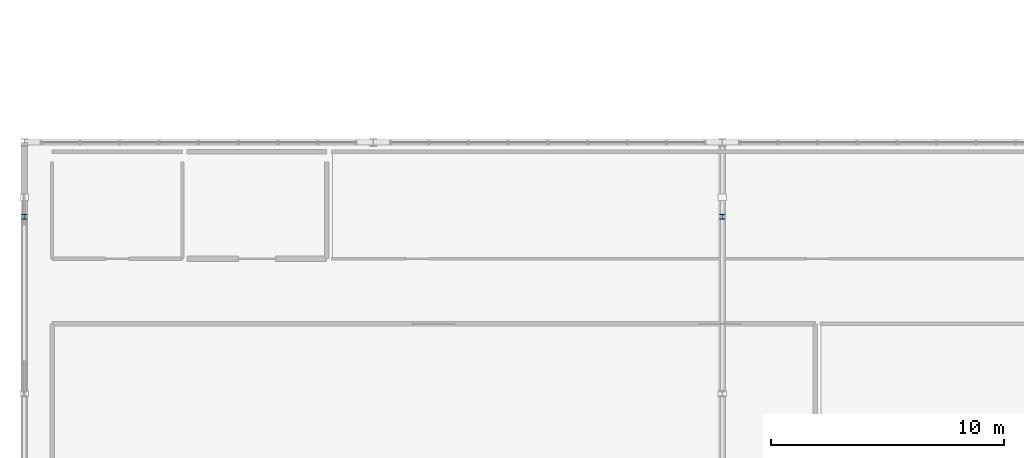
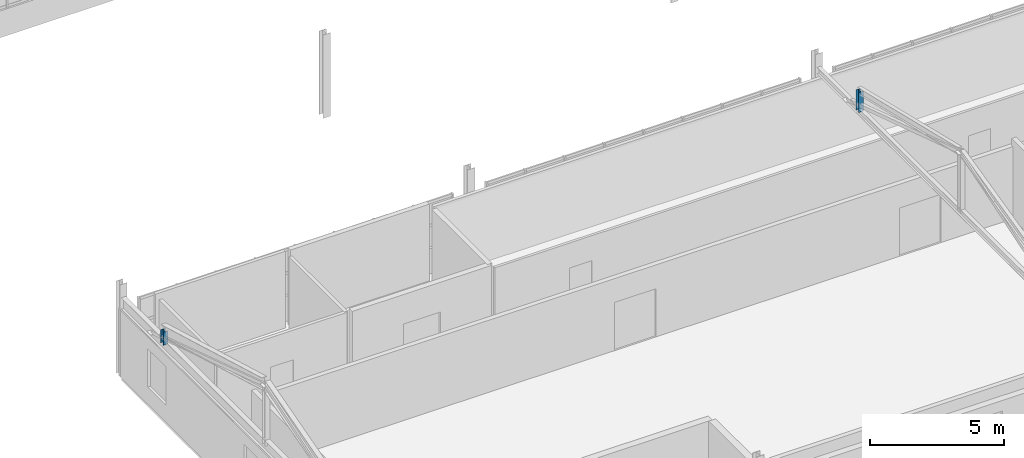
# One storey, part 40 of 90: 2 members.
"""IFC4 building model written with IfcOpenShell, lengths in metres."""

from ifc_helpers import new_model, si_unit, direction, frame, origin, origin_2d, place, context, subcontext, project, spatial, i_section, extrude, material, material_profile, profile_set, type_object, element, save


model = new_model("IFC4")

# Units and contexts
model_context = context("Model", 3, precision=1e-05, world=origin(), true_north=direction((0.0, 1.0)))
body_context = subcontext(model_context, "Body", "Model", "MODEL_VIEW")
ifc_project = project(units=[si_unit("LENGTHUNIT", "METRE"), si_unit("AREAUNIT", "SQUARE_METRE"), si_unit("VOLUMEUNIT", "CUBIC_METRE"), si_unit("PLANEANGLEUNIT", "RADIAN"), si_unit("MASSUNIT", "GRAM", prefix="KILO")], contexts=[model_context])

# Site, building, storey
site_placement = place(None, origin())
site = spatial("IfcSite", under=ifc_project, at=site_placement, CompositionType="ELEMENT")
building_placement = place(site_placement, origin())
building = spatial("IfcBuilding", under=site, at=building_placement, Name="Solanera Park Tramway Depot", CompositionType="ELEMENT")
storey_placement = place(building_placement, frame((0.0, 0.0, 9.0)))
storey = spatial("IfcBuildingStorey", under=building, at=storey_placement, Name="L02", CompositionType="ELEMENT", Elevation=9.0)

# Members
ifc_material = material(Name="Steel AS/NZS 3679.1 Grade 350", Category="steel")
ifc_material_profile = material_profile(ifc_material, i_section(OverallWidth=0.205078125, OverallDepth=0.209716796875, WebThickness=0.00927734375, FlangeThickness=0.01416015625, at=origin_2d()), Name="200UC59.5")
ifc_profile_set = profile_set([ifc_material_profile], Name="Steel AS/NZS 3679.1 Grade 350")
member_type = type_object("IfcMemberType", Name="Roof Gantry Compression Strut 200UC59.5", PredefinedType="STRUT", material=ifc_profile_set)
member_1_placement = place(storey_placement, frame((0.0, 29.199951171875, 3.33837890625), z_axis=(0.0, 0.0, 1.0), x_axis=(1.0, 0.0, 0.0)))
element("IfcMember", 1, at=member_1_placement, inside=storey, type_object=member_type, Name="Hip ROOF TRUSS Heel Post #0102", PredefinedType="STRUT", context=body_context, shape_type="SweptSolid", body=[
    extrude(i_section(OverallWidth=0.205078125, OverallDepth=0.209716796875, WebThickness=0.00927734375, FlangeThickness=0.01416015625, at=origin_2d()), origin(), (0.0, 0.0, 1.0), 0.593017578125),
])
member_2_placement = place(storey_placement, frame((30.0, 29.199951171875, 3.453125), z_axis=(0.0, 0.0, 1.0), x_axis=(1.0, 0.0, 0.0)))
element("IfcMember", 2, at=member_2_placement, inside=storey, type_object=member_type, Name="Hip ROOF TRUSS Heel Post #0105", PredefinedType="STRUT", context=body_context, shape_type="SweptSolid", body=[
    extrude(i_section(OverallWidth=0.205078125, OverallDepth=0.209716796875, WebThickness=0.00927734375, FlangeThickness=0.01416015625, at=origin_2d()), origin(), (0.0, 0.0, 1.0), 0.918701171875),
])

save(model, "model.ifc")
